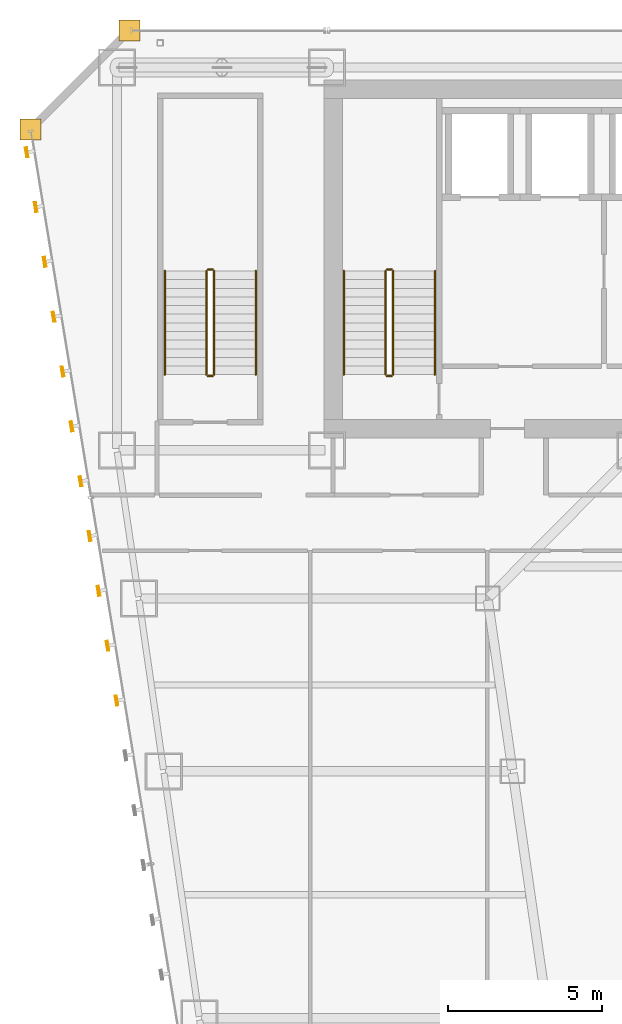
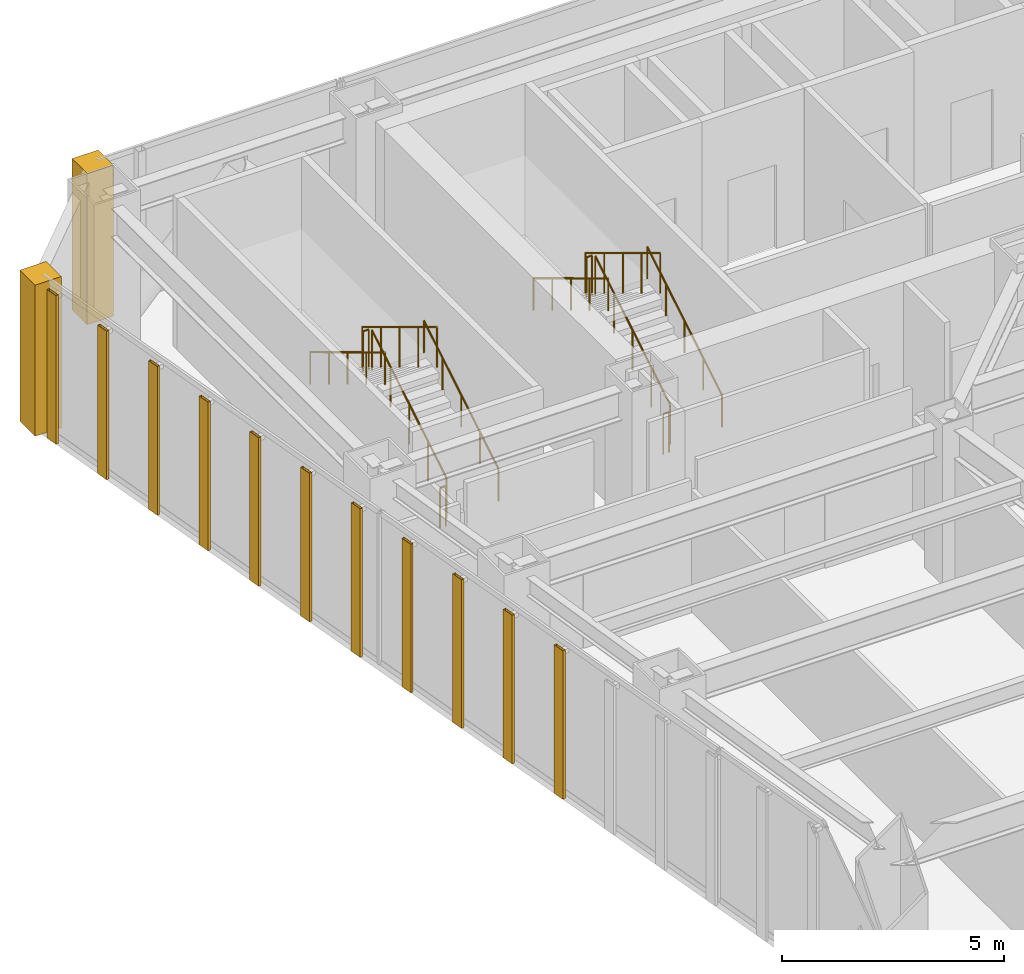
# One storey, part 46 of 47: 12 railings, 11 shading devices, 2 coverings.
"""IFC4 building model written with IfcOpenShell, lengths in metres."""

from ifc_helpers import new_model, si_unit, direction, frame, origin, origin_2d, place, context, subcontext, project, spatial, polyline, hollow_rectangle, circle, outline, extrude, material, layer, layer_set, material_profile, profile_set, type_object, element, save


model = new_model("IFC4")

# Units and contexts
model_context = context("Model", 3, precision=1e-05, world=origin(), true_north=direction((0.0, 1.0)))
body_context = subcontext(model_context, "Body", "Model", "MODEL_VIEW")
ifc_project = project(units=[si_unit("LENGTHUNIT", "METRE"), si_unit("AREAUNIT", "SQUARE_METRE"), si_unit("VOLUMEUNIT", "CUBIC_METRE"), si_unit("PLANEANGLEUNIT", "RADIAN"), si_unit("MASSUNIT", "GRAM", prefix="KILO")], contexts=[model_context])

# Site, building, storey
site_placement = place(None, origin())
site = spatial("IfcSite", under=ifc_project, at=site_placement, CompositionType="ELEMENT")
building_placement = place(site_placement, origin())
building = spatial("IfcBuilding", under=site, at=building_placement, Name="Saevonmaru Cultural Tower", CompositionType="ELEMENT")
storey_placement = place(building_placement, frame((0.0, 0.0, 42.800048828125)))
storey = spatial("IfcBuildingStorey", under=building, at=storey_placement, Name="L08", CompositionType="ELEMENT", Elevation=42.800048828125)

# Coverings
ifc_material_1 = material(Name="Satin Bronze Anodised Aluminium", Category="aluminium")
ifc_layer = layer(ifc_material_1, 0.679931640625, Name="Satin Bronze Anodised Aluminium")
ifc_layer_set = layer_set([ifc_layer], Name="Satin Bronze Anodised Aluminium")
covering_type = type_object("IfcCoveringType", Name="CV-CORNER-CLAD", PredefinedType="CLADDING", material=ifc_layer_set)
covering_1_placement = place(storey_placement, origin())
element("IfcCovering", 1, at=covering_1_placement, inside=storey, type_object=covering_type, Name="L08 Tower Bronze Corner Cladding Pier 11", PredefinedType="CLADDING", context=body_context, shape_type="SweptSolid", body=[
    extrude(outline(polyline([(6.860107421875, 55.659912109375), (7.5400390625, 55.659912109375), (7.5400390625, 56.340087890625), (6.860107421875, 56.340087890625), (6.860107421875, 55.659912109375)])), origin(), (0.0, 0.0, 1.0), 4.14990234375),
])
covering_2_placement = place(storey_placement, origin())
element("IfcCovering", 2, at=covering_2_placement, inside=storey, type_object=covering_type, Name="L08 Tower Bronze Corner Cladding Pier 12", PredefinedType="CLADDING", context=body_context, shape_type="SweptSolid", body=[
    extrude(outline(polyline([(3.659912109375, 52.4599609375), (4.340087890625, 52.4599609375), (4.340087890625, 53.139892578125), (3.659912109375, 53.139892578125), (3.659912109375, 52.4599609375)])), origin(), (0.0, 0.0, 1.0), 4.14990234375),
])

# Railings
ifc_material_2 = material(Name="Architectural Painted Steel", Category="steel")
railing_type_1 = type_object("IfcRailingType", Name="RL-STAIR-GUARD", PredefinedType="GUARDRAIL", material=ifc_material_2)
railing_1_placement = place(storey_placement, frame((15.75, 44.85009765625, 0.169189453125)))
element("IfcRailing", 3, at=railing_1_placement, inside=storey, type_object=railing_type_1, Name="L08 ST-1 stair guard 1", PredefinedType="GUARDRAIL", context=body_context, shape_type="SweptSolid", body=[
    extrude(circle(Radius=0.02392578125, at=origin_2d()), frame((0.0, 0.0, 1.09619140625), z_axis=(0.0, 0.855820338506, 0.51727318527), x_axis=(-1.0, 0.0, 0.0)), (0.0, 0.0, 1.0), 3.92578125),
    extrude(circle(Radius=0.02099609375, at=origin_2d()), origin(), (0.0, 0.0, 1.0), 1.072021484375),
    extrude(circle(Radius=0.02099609375, at=origin_2d()), frame((0.0, 0.83984375, 0.5078125)), (0.0, 0.0, 1.0), 1.072021484375),
    extrude(circle(Radius=0.02099609375, at=origin_2d()), frame((0.0, 1.679931640625, 1.015380859375)), (0.0, 0.0, 1.0), 1.072021484375),
    extrude(circle(Radius=0.02099609375, at=origin_2d()), frame((0.0, 2.52001953125, 1.52294921875)), (0.0, 0.0, 1.0), 1.072021484375),
    extrude(circle(Radius=0.02099609375, at=origin_2d()), frame((0.0, 3.35986328125, 2.03076171875)), (0.0, 0.0, 1.0), 1.072021484375),
])
railing_2_placement = place(storey_placement, frame((15.699951171875, 48.260009765625, 2.199951171875)))
element("IfcRailing", 4, at=railing_2_placement, inside=storey, type_object=railing_type_1, Name="L08 ST-1 stair guard 2", PredefinedType="GUARDRAIL", context=body_context, shape_type="SweptSolid", body=[
    extrude(circle(Radius=0.02392578125, at=origin_2d()), frame((0.0, 0.0, 1.09619140625), z_axis=(-1.0, 0.0, 0.0), x_axis=(0.0, -1.0, 0.0)), (0.0, 0.0, 1.0), 0.14990234375),
    extrude(circle(Radius=0.02099609375, at=origin_2d()), origin(), (0.0, 0.0, 1.0), 1.072021484375),
    extrude(circle(Radius=0.02099609375, at=origin_2d()), frame((-0.14990234375, 0.0, 0.0)), (0.0, 0.0, 1.0), 1.072021484375),
])
railing_3_placement = place(storey_placement, frame((15.5, 48.2099609375, 2.369140625)))
element("IfcRailing", 5, at=railing_3_placement, inside=storey, type_object=railing_type_1, Name="L08 ST-1 stair guard 3", PredefinedType="GUARDRAIL", context=body_context, shape_type="SweptSolid", body=[
    extrude(circle(Radius=0.02392578125, at=origin_2d()), frame((0.0, 0.0, 1.09619140625), z_axis=(0.0, -0.855820338506, 0.51727318527), x_axis=(1.0, 0.0, 0.0)), (0.0, 0.0, 1.0), 3.92578125),
    extrude(circle(Radius=0.02099609375, at=origin_2d()), origin(), (0.0, 0.0, 1.0), 1.072021484375),
    extrude(circle(Radius=0.02099609375, at=origin_2d()), frame((0.0, -0.83984375, 0.5078125)), (0.0, 0.0, 1.0), 1.072021484375),
    extrude(circle(Radius=0.02099609375, at=origin_2d()), frame((0.0, -1.679931640625, 1.015380859375)), (0.0, 0.0, 1.0), 1.072021484375),
    extrude(circle(Radius=0.02099609375, at=origin_2d()), frame((0.0, -2.52001953125, 1.52294921875)), (0.0, 0.0, 1.0), 1.072021484375),
    extrude(circle(Radius=0.02099609375, at=origin_2d()), frame((0.0, -3.35986328125, 2.03076171875)), (0.0, 0.0, 1.0), 1.072021484375),
])
railing_4_placement = place(storey_placement, frame((15.699951171875, 44.800048828125, 0.0)))
element("IfcRailing", 6, at=railing_4_placement, inside=storey, type_object=railing_type_1, Name="L08 ST-1 stair guard 4", PredefinedType="GUARDRAIL", context=body_context, shape_type="SweptSolid", body=[
    extrude(circle(Radius=0.02392578125, at=origin_2d()), frame((0.0, 0.0, 1.09619140625), z_axis=(-1.0, 0.0, 0.0), x_axis=(0.0, -1.0, 0.0)), (0.0, 0.0, 1.0), 0.14990234375),
    extrude(circle(Radius=0.02099609375, at=origin_2d()), origin(), (0.0, 0.0, 1.0), 1.072021484375),
    extrude(circle(Radius=0.02099609375, at=origin_2d()), frame((-0.14990234375, 0.0, 0.0)), (0.0, 0.0, 1.0), 1.072021484375),
])
railing_5_placement = place(storey_placement, frame((9.949951171875, 44.85009765625, 0.169189453125)))
element("IfcRailing", 7, at=railing_5_placement, inside=storey, type_object=railing_type_1, Name="L08 ST-3 stair guard 1", PredefinedType="GUARDRAIL", context=body_context, shape_type="SweptSolid", body=[
    extrude(circle(Radius=0.02392578125, at=origin_2d()), frame((0.0, 0.0, 1.09619140625), z_axis=(0.0, 0.855820338506, 0.51727318527), x_axis=(-1.0, 0.0, 0.0)), (0.0, 0.0, 1.0), 3.92578125),
    extrude(circle(Radius=0.02099609375, at=origin_2d()), origin(), (0.0, 0.0, 1.0), 1.072021484375),
    extrude(circle(Radius=0.02099609375, at=origin_2d()), frame((0.0, 0.83984375, 0.5078125)), (0.0, 0.0, 1.0), 1.072021484375),
    extrude(circle(Radius=0.02099609375, at=origin_2d()), frame((0.0, 1.679931640625, 1.015380859375)), (0.0, 0.0, 1.0), 1.072021484375),
    extrude(circle(Radius=0.02099609375, at=origin_2d()), frame((0.0, 2.52001953125, 1.52294921875)), (0.0, 0.0, 1.0), 1.072021484375),
    extrude(circle(Radius=0.02099609375, at=origin_2d()), frame((0.0, 3.35986328125, 2.03076171875)), (0.0, 0.0, 1.0), 1.072021484375),
])
railing_6_placement = place(storey_placement, frame((9.89990234375, 48.260009765625, 2.199951171875)))
element("IfcRailing", 8, at=railing_6_placement, inside=storey, type_object=railing_type_1, Name="L08 ST-3 stair guard 2", PredefinedType="GUARDRAIL", context=body_context, shape_type="SweptSolid", body=[
    extrude(circle(Radius=0.02392578125, at=origin_2d()), frame((0.0, 0.0, 1.09619140625), z_axis=(-1.0, 0.0, 0.0), x_axis=(0.0, -1.0, 0.0)), (0.0, 0.0, 1.0), 0.14990234375),
    extrude(circle(Radius=0.02099609375, at=origin_2d()), origin(), (0.0, 0.0, 1.0), 1.072021484375),
    extrude(circle(Radius=0.02099609375, at=origin_2d()), frame((-0.14990234375, 0.0, 0.0)), (0.0, 0.0, 1.0), 1.072021484375),
])
railing_7_placement = place(storey_placement, frame((9.699951171875, 48.2099609375, 2.369140625)))
element("IfcRailing", 9, at=railing_7_placement, inside=storey, type_object=railing_type_1, Name="L08 ST-3 stair guard 3", PredefinedType="GUARDRAIL", context=body_context, shape_type="SweptSolid", body=[
    extrude(circle(Radius=0.02392578125, at=origin_2d()), frame((0.0, 0.0, 1.09619140625), z_axis=(0.0, -0.855820338506, 0.51727318527), x_axis=(1.0, 0.0, 0.0)), (0.0, 0.0, 1.0), 3.92578125),
    extrude(circle(Radius=0.02099609375, at=origin_2d()), origin(), (0.0, 0.0, 1.0), 1.072021484375),
    extrude(circle(Radius=0.02099609375, at=origin_2d()), frame((0.0, -0.83984375, 0.5078125)), (0.0, 0.0, 1.0), 1.072021484375),
    extrude(circle(Radius=0.02099609375, at=origin_2d()), frame((0.0, -1.679931640625, 1.015380859375)), (0.0, 0.0, 1.0), 1.072021484375),
    extrude(circle(Radius=0.02099609375, at=origin_2d()), frame((0.0, -2.52001953125, 1.52294921875)), (0.0, 0.0, 1.0), 1.072021484375),
    extrude(circle(Radius=0.02099609375, at=origin_2d()), frame((0.0, -3.35986328125, 2.03076171875)), (0.0, 0.0, 1.0), 1.072021484375),
])
railing_8_placement = place(storey_placement, frame((9.89990234375, 44.800048828125, 0.0)))
element("IfcRailing", 10, at=railing_8_placement, inside=storey, type_object=railing_type_1, Name="L08 ST-3 stair guard 4", PredefinedType="GUARDRAIL", context=body_context, shape_type="SweptSolid", body=[
    extrude(circle(Radius=0.02392578125, at=origin_2d()), frame((0.0, 0.0, 1.09619140625), z_axis=(-1.0, 0.0, 0.0), x_axis=(0.0, -1.0, 0.0)), (0.0, 0.0, 1.0), 0.14990234375),
    extrude(circle(Radius=0.02099609375, at=origin_2d()), origin(), (0.0, 0.0, 1.0), 1.072021484375),
    extrude(circle(Radius=0.02099609375, at=origin_2d()), frame((-0.14990234375, 0.0, 0.0)), (0.0, 0.0, 1.0), 1.072021484375),
])
railing_type_2 = type_object("IfcRailingType", Name="RL-STAIR-HANDRAIL", PredefinedType="HANDRAIL", material=ifc_material_1)
railing_9_placement = place(storey_placement, frame((17.10009765625, 44.85009765625, 0.169189453125)))
element("IfcRailing", 11, at=railing_9_placement, inside=storey, type_object=railing_type_2, Name="L08 ST-1 stair handrail 1", PredefinedType="HANDRAIL", context=body_context, shape_type="SweptSolid", body=[
    extrude(circle(Radius=0.02392578125, at=origin_2d()), frame((0.0, 0.0, 0.8759765625), z_axis=(0.0, 0.855820338506, 0.51727318527), x_axis=(-1.0, 0.0, 0.0)), (0.0, 0.0, 1.0), 3.92578125),
    extrude(circle(Radius=0.02099609375, at=origin_2d()), origin(), (0.0, 0.0, 1.0), 0.851806640625),
    extrude(circle(Radius=0.02099609375, at=origin_2d()), frame((0.0, 0.83984375, 0.5078125)), (0.0, 0.0, 1.0), 0.851806640625),
    extrude(circle(Radius=0.02099609375, at=origin_2d()), frame((0.0, 1.679931640625, 1.015380859375)), (0.0, 0.0, 1.0), 0.851806640625),
    extrude(circle(Radius=0.02099609375, at=origin_2d()), frame((0.0, 2.52001953125, 1.52294921875)), (0.0, 0.0, 1.0), 0.851806640625),
    extrude(circle(Radius=0.02099609375, at=origin_2d()), frame((0.0, 3.35986328125, 2.03076171875)), (0.0, 0.0, 1.0), 0.851806640625),
])
railing_10_placement = place(storey_placement, frame((14.14990234375, 48.2099609375, 2.369140625)))
element("IfcRailing", 12, at=railing_10_placement, inside=storey, type_object=railing_type_2, Name="L08 ST-1 stair handrail 2", PredefinedType="HANDRAIL", context=body_context, shape_type="SweptSolid", body=[
    extrude(circle(Radius=0.02392578125, at=origin_2d()), frame((0.0, 0.0, 0.8759765625), z_axis=(0.0, -0.855820338506, 0.51727318527), x_axis=(1.0, 0.0, 0.0)), (0.0, 0.0, 1.0), 3.92578125),
    extrude(circle(Radius=0.02099609375, at=origin_2d()), origin(), (0.0, 0.0, 1.0), 0.851806640625),
    extrude(circle(Radius=0.02099609375, at=origin_2d()), frame((0.0, -0.83984375, 0.5078125)), (0.0, 0.0, 1.0), 0.851806640625),
    extrude(circle(Radius=0.02099609375, at=origin_2d()), frame((0.0, -1.679931640625, 1.015380859375)), (0.0, 0.0, 1.0), 0.851806640625),
    extrude(circle(Radius=0.02099609375, at=origin_2d()), frame((0.0, -2.52001953125, 1.52294921875)), (0.0, 0.0, 1.0), 0.851806640625),
    extrude(circle(Radius=0.02099609375, at=origin_2d()), frame((0.0, -3.35986328125, 2.03076171875)), (0.0, 0.0, 1.0), 0.851806640625),
])
railing_11_placement = place(storey_placement, frame((11.300048828125, 44.85009765625, 0.169189453125)))
element("IfcRailing", 13, at=railing_11_placement, inside=storey, type_object=railing_type_2, Name="L08 ST-3 stair handrail 1", PredefinedType="HANDRAIL", context=body_context, shape_type="SweptSolid", body=[
    extrude(circle(Radius=0.02392578125, at=origin_2d()), frame((0.0, 0.0, 0.8759765625), z_axis=(0.0, 0.855820338506, 0.51727318527), x_axis=(-1.0, 0.0, 0.0)), (0.0, 0.0, 1.0), 3.92578125),
    extrude(circle(Radius=0.02099609375, at=origin_2d()), origin(), (0.0, 0.0, 1.0), 0.851806640625),
    extrude(circle(Radius=0.02099609375, at=origin_2d()), frame((0.0, 0.83984375, 0.5078125)), (0.0, 0.0, 1.0), 0.851806640625),
    extrude(circle(Radius=0.02099609375, at=origin_2d()), frame((0.0, 1.679931640625, 1.015380859375)), (0.0, 0.0, 1.0), 0.851806640625),
    extrude(circle(Radius=0.02099609375, at=origin_2d()), frame((0.0, 2.52001953125, 1.52294921875)), (0.0, 0.0, 1.0), 0.851806640625),
    extrude(circle(Radius=0.02099609375, at=origin_2d()), frame((0.0, 3.35986328125, 2.03076171875)), (0.0, 0.0, 1.0), 0.851806640625),
])
railing_12_placement = place(storey_placement, frame((8.35009765625, 48.2099609375, 2.369140625)))
element("IfcRailing", 14, at=railing_12_placement, inside=storey, type_object=railing_type_2, Name="L08 ST-3 stair handrail 2", PredefinedType="HANDRAIL", context=body_context, shape_type="SweptSolid", body=[
    extrude(circle(Radius=0.02392578125, at=origin_2d()), frame((0.0, 0.0, 0.8759765625), z_axis=(0.0, -0.855820338506, 0.51727318527), x_axis=(1.0, 0.0, 0.0)), (0.0, 0.0, 1.0), 3.92578125),
    extrude(circle(Radius=0.02099609375, at=origin_2d()), origin(), (0.0, 0.0, 1.0), 0.851806640625),
    extrude(circle(Radius=0.02099609375, at=origin_2d()), frame((0.0, -0.83984375, 0.5078125)), (0.0, 0.0, 1.0), 0.851806640625),
    extrude(circle(Radius=0.02099609375, at=origin_2d()), frame((0.0, -1.679931640625, 1.015380859375)), (0.0, 0.0, 1.0), 0.851806640625),
    extrude(circle(Radius=0.02099609375, at=origin_2d()), frame((0.0, -2.52001953125, 1.52294921875)), (0.0, 0.0, 1.0), 0.851806640625),
    extrude(circle(Radius=0.02099609375, at=origin_2d()), frame((0.0, -3.35986328125, 2.03076171875)), (0.0, 0.0, 1.0), 0.851806640625),
])

# Shading devices
ifc_material_profile = material_profile(ifc_material_1, hollow_rectangle(XDim=0.070068359375, YDim=0.320068359375, WallThickness=0.0048828125, at=origin_2d()), Name="FIN-320x70")
ifc_profile_set = profile_set([ifc_material_profile], Name="Satin Bronze Anodised Aluminium")
shading_device_type = type_object("IfcShadingDeviceType", Name="SHD-FIN-320", PredefinedType="JALOUSIE", material=ifc_profile_set)
for number, where, z_axis, x_axis, name in (
    (15, (3.879150390625, 52.05322265625, 0.050048828125), (0.0, 0.0, 1.0), (-0.986827496189, -0.161776057456, 0.0), "L08 Art Deco Sawtooth Bronze Fin E12-01"),
    (16, (4.170166015625, 50.27685546875, 0.050048828125), (0.0, 0.0, 1.0), (-0.986827496189, -0.161776057456, 0.0), "L08 Art Deco Sawtooth Bronze Fin E12-02"),
    (17, (4.461181640625, 48.50048828125, 0.050048828125), (0.0, 0.0, 1.0), (-0.986827496189, -0.161776057456, 0.0), "L08 Art Deco Sawtooth Bronze Fin E12-03"),
    (18, (4.75244140625, 46.724365234375, 0.050048828125), (0.0, 0.0, 1.0), (-0.986827496189, -0.161776057456, 0.0), "L08 Art Deco Sawtooth Bronze Fin E12-04"),
    (19, (5.04345703125, 44.947998046875, 0.050048828125), (0.0, 0.0, 1.0), (-0.986827496189, -0.161776057456, 0.0), "L08 Art Deco Sawtooth Bronze Fin E12-05"),
    (20, (5.334716796875, 43.171630859375, 0.050048828125), (0.0, 0.0, 1.0), (-0.986827496189, -0.161776057456, 0.0), "L08 Art Deco Sawtooth Bronze Fin E12-06"),
    (21, (5.62548828125, 41.3955078125, 0.050048828125), (0.0, 0.0, 1.0), (-0.986827496189, -0.161776057456, 0.0), "L08 Art Deco Sawtooth Bronze Fin E12-07"),
    (22, (5.916748046875, 39.618896484375, 0.050048828125), (0.0, 0.0, 1.0), (-0.986827496189, -0.161776057456, 0.0), "L08 Art Deco Sawtooth Bronze Fin E12-08"),
    (23, (6.207763671875, 37.8427734375, 0.050048828125), (0.0, 0.0, 1.0), (-0.986827496189, -0.161776057456, 0.0), "L08 Art Deco Sawtooth Bronze Fin E12-09"),
    (24, (6.498779296875, 36.06640625, 0.050048828125), (0.0, 0.0, 1.0), (-0.986827496189, -0.161776057456, 0.0), "L08 Art Deco Sawtooth Bronze Fin E12-10"),
    (25, (6.789794921875, 34.2900390625, 0.050048828125), (0.0, 0.0, 1.0), (-0.986827496189, -0.161776057456, 0.0), "L08 Art Deco Sawtooth Bronze Fin E12-11"),
):
    element("IfcShadingDevice", number, at=place(storey_placement, frame(where, z_axis=z_axis, x_axis=x_axis)), inside=storey, type_object=shading_device_type, Name=name, PredefinedType="JALOUSIE", context=body_context, shape_type="SweptSolid", body=[
        extrude(hollow_rectangle(XDim=0.070068359375, YDim=0.320068359375, WallThickness=0.0048828125, at=origin_2d()), origin(), (0.0, 0.0, 1.0), 4.079833984375),
    ])

save(model, "model.ifc")
